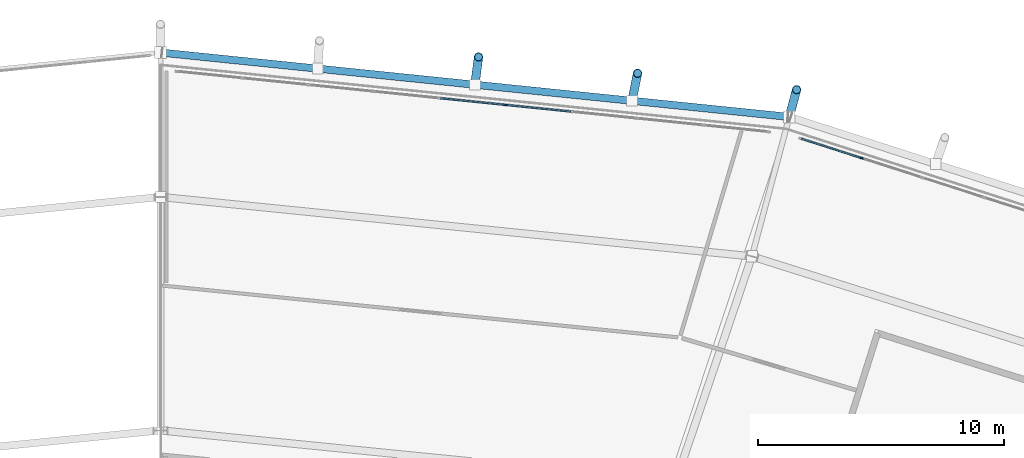
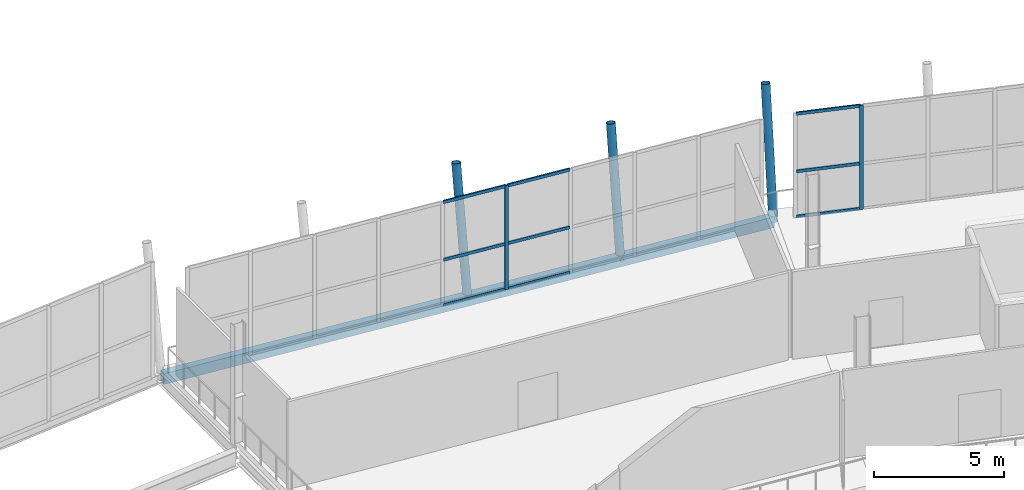
# One storey, part 49 of 99: 14 members, 1 beam, 2 elements without a shape of their own.
"""IFC4 building model written with IfcOpenShell, lengths in metres."""

from ifc_helpers import new_model, si_unit, direction, frame, origin, origin_2d, place, context, subcontext, project, spatial, rectangle, hollow_rectangle, hollow_circle, extrude, material, material_profile, profile_set, type_object, element, aggregate, save


model = new_model("IFC4")

# Units and contexts
model_context = context("Model", 3, precision=1e-05, world=origin(), true_north=direction((0.0, 1.0)))
body_context = subcontext(model_context, "Body", "Model", "MODEL_VIEW")
ifc_project = project(units=[si_unit("LENGTHUNIT", "METRE"), si_unit("AREAUNIT", "SQUARE_METRE"), si_unit("VOLUMEUNIT", "CUBIC_METRE"), si_unit("PLANEANGLEUNIT", "RADIAN"), si_unit("MASSUNIT", "GRAM", prefix="KILO")], contexts=[model_context])

# Site, building, storey
site_placement = place(None, origin())
site = spatial("IfcSite", under=ifc_project, at=site_placement, CompositionType="ELEMENT")
building_placement = place(site_placement, origin())
building = spatial("IfcBuilding", under=site, at=building_placement, Name="Zlatoyarsky Gate Stadium", CompositionType="ELEMENT")
storey_placement = place(building_placement, frame((0.0, 0.0, 26.199951171875)))
storey = spatial("IfcBuildingStorey", under=building, at=storey_placement, Name="L05", CompositionType="ELEMENT", Elevation=26.199951171875)

# Curtain wall, member
ifc_material_1 = material(Name="Thermally broken anodised aluminium curtain wall", Category="aluminium")
curtain_wall_type = type_object("IfcCurtainWallType", Name="UNITISED SKYBOX RING GLAZING L05", PredefinedType="USERDEFINED", material=ifc_material_1)
curtain_wall_1_placement = place(storey_placement, origin())
curtain_wall_1 = element("IfcCurtainWall", 1, at=curtain_wall_1_placement, inside=storey, type_object=curtain_wall_type, Name="Curtain wall CW-L05-04", ObjectType="UNITISED GLAZING", PredefinedType="USERDEFINED")
ifc_material_2 = material(Name="Anodised aluminium 6063-T6", Category="aluminium")
ifc_material_profile_1 = material_profile(ifc_material_2, rectangle(XDim=0.06494140625, YDim=0.159912109375, at=origin_2d()), Name="ALU 65X160")
ifc_profile_set_1 = profile_set([ifc_material_profile_1], Name="Anodised aluminium 6063-T6")
member_type_1 = type_object("IfcMemberType", Name="ALUMINIUM MULLION 65X160", PredefinedType="MULLION", material=ifc_profile_set_1)
member_1_placement = place(storey_placement, frame((139.522705078125, 152.58203125, 0.0), z_axis=(0.0, 0.0, 1.0), x_axis=(-0.305978007283, -0.952038580657, 0.0)))
member_1 = element("IfcMember", 2, at=member_1_placement, type_object=member_type_1, Name="CW-UG5 mullion 9", PredefinedType="MULLION", context=body_context, shape_type="SweptSolid", body=[
    extrude(rectangle(XDim=0.06494140625, YDim=0.159912109375, at=origin_2d()), origin(), (0.0, 0.0, 1.0), 4.880126953125),
])

curtain_wall_2_placement = place(storey_placement, origin())
curtain_wall_2 = element("IfcCurtainWall", 3, at=curtain_wall_2_placement, inside=storey, type_object=curtain_wall_type, Name="Curtain wall CW-L05-05", ObjectType="UNITISED GLAZING", PredefinedType="USERDEFINED")
member_2_placement = place(storey_placement, frame((125.045166015625, 154.743408203125, 0.0), z_axis=(0.0, 0.0, 1.0), x_axis=(-0.101618248063, -0.994823467586, 0.0)))
member_2 = element("IfcMember", 4, at=member_2_placement, type_object=member_type_1, Name="CW-UG5 mullion 5", PredefinedType="MULLION", context=body_context, shape_type="SweptSolid", body=[
    extrude(rectangle(XDim=0.06494140625, YDim=0.159912109375, at=origin_2d()), origin(), (0.0, 0.0, 1.0), 4.880126953125),
])

# Member
ifc_material_profile_2 = material_profile(ifc_material_2, rectangle(XDim=0.06494140625, YDim=0.139892578125, at=origin_2d()), Name="ALU 65X140")
ifc_profile_set_2 = profile_set([ifc_material_profile_2], Name="Anodised aluminium 6063-T6")
member_type_2 = type_object("IfcMemberType", Name="ALUMINIUM TRANSOM 65X140", PredefinedType="USERDEFINED", material=ifc_profile_set_2)
member_3_placement = place(storey_placement, frame((139.49169921875, 152.592041015625, 0.032470703125), z_axis=(-0.952045685445, 0.305955900133, 0.0), x_axis=(-0.305955900133, -0.952045685445, 0.0)))
member_3 = element("IfcMember", 5, at=member_3_placement, type_object=member_type_2, Name="CW-UG5 transom 9.1", ObjectType="TRANSOM", PredefinedType="USERDEFINED", context=body_context, shape_type="SweptSolid", body=[
    extrude(rectangle(XDim=0.06494140625, YDim=0.139892578125, at=origin_2d()), origin(), (0.0, 0.0, 1.0), 2.521484375),
])

member_4_placement = place(storey_placement, frame((139.49169921875, 152.592041015625, 2.150146484375), z_axis=(-0.952045685445, 0.305955900133, 0.0), x_axis=(-0.305955900133, -0.952045685445, 0.0)))
member_4 = element("IfcMember", 6, at=member_4_placement, type_object=member_type_2, Name="CW-UG5 transom 9.2", ObjectType="TRANSOM", PredefinedType="USERDEFINED", context=body_context, shape_type="SweptSolid", body=[
    extrude(rectangle(XDim=0.06494140625, YDim=0.139892578125, at=origin_2d()), origin(), (0.0, 0.0, 1.0), 2.521484375),
])

member_5_placement = place(storey_placement, frame((139.49169921875, 152.592041015625, 4.84765625), z_axis=(-0.952045685445, 0.305955900133, 0.0), x_axis=(-0.305955900133, -0.952045685445, 0.0)))
member_5 = element("IfcMember", 7, at=member_5_placement, type_object=member_type_2, Name="CW-UG5 transom 9.3", ObjectType="TRANSOM", PredefinedType="USERDEFINED", context=body_context, shape_type="SweptSolid", body=[
    extrude(rectangle(XDim=0.06494140625, YDim=0.139892578125, at=origin_2d()), origin(), (0.0, 0.0, 1.0), 2.521484375),
])

aggregate(curtain_wall_1, [member_1, member_3, member_4, member_5])

member_6_placement = place(storey_placement, frame((127.6923828125, 154.472900390625, 0.032470703125), z_axis=(-0.994824375324, 0.101609361087, 0.0), x_axis=(-0.101609361087, -0.994824375324, 0.0)))
member_6 = element("IfcMember", 8, at=member_6_placement, type_object=member_type_2, Name="CW-UG5 transom 4.1", ObjectType="TRANSOM", PredefinedType="USERDEFINED", context=body_context, shape_type="SweptSolid", body=[
    extrude(rectangle(XDim=0.06494140625, YDim=0.139892578125, at=origin_2d()), origin(), (0.0, 0.0, 1.0), 2.628662109375),
])

member_7_placement = place(storey_placement, frame((127.6923828125, 154.472900390625, 2.150146484375), z_axis=(-0.994824375324, 0.101609361087, 0.0), x_axis=(-0.101609361087, -0.994824375324, 0.0)))
member_7 = element("IfcMember", 9, at=member_7_placement, type_object=member_type_2, Name="CW-UG5 transom 4.2", ObjectType="TRANSOM", PredefinedType="USERDEFINED", context=body_context, shape_type="SweptSolid", body=[
    extrude(rectangle(XDim=0.06494140625, YDim=0.139892578125, at=origin_2d()), origin(), (0.0, 0.0, 1.0), 2.628662109375),
])

member_8_placement = place(storey_placement, frame((127.6923828125, 154.472900390625, 4.84765625), z_axis=(-0.994824375324, 0.101609361087, 0.0), x_axis=(-0.101609361087, -0.994824375324, 0.0)))
member_8 = element("IfcMember", 10, at=member_8_placement, type_object=member_type_2, Name="CW-UG5 transom 4.3", ObjectType="TRANSOM", PredefinedType="USERDEFINED", context=body_context, shape_type="SweptSolid", body=[
    extrude(rectangle(XDim=0.06494140625, YDim=0.139892578125, at=origin_2d()), origin(), (0.0, 0.0, 1.0), 2.628662109375),
])

member_9_placement = place(storey_placement, frame((125.0126953125, 154.74658203125, 0.032470703125), z_axis=(-0.994814982659, 0.10170127962, 0.0), x_axis=(-0.10170127962, -0.994814982659, 0.0)))
member_9 = element("IfcMember", 11, at=member_9_placement, type_object=member_type_2, Name="CW-UG5 transom 5.1", ObjectType="TRANSOM", PredefinedType="USERDEFINED", context=body_context, shape_type="SweptSolid", body=[
    extrude(rectangle(XDim=0.06494140625, YDim=0.139892578125, at=origin_2d()), origin(), (0.0, 0.0, 1.0), 2.628662109375),
])

member_10_placement = place(storey_placement, frame((125.0126953125, 154.74658203125, 2.150146484375), z_axis=(-0.994814982659, 0.10170127962, 0.0), x_axis=(-0.10170127962, -0.994814982659, 0.0)))
member_10 = element("IfcMember", 12, at=member_10_placement, type_object=member_type_2, Name="CW-UG5 transom 5.2", ObjectType="TRANSOM", PredefinedType="USERDEFINED", context=body_context, shape_type="SweptSolid", body=[
    extrude(rectangle(XDim=0.06494140625, YDim=0.139892578125, at=origin_2d()), origin(), (0.0, 0.0, 1.0), 2.628662109375),
])

member_11_placement = place(storey_placement, frame((125.0126953125, 154.74658203125, 4.84765625), z_axis=(-0.994814982659, 0.10170127962, 0.0), x_axis=(-0.10170127962, -0.994814982659, 0.0)))
member_11 = element("IfcMember", 13, at=member_11_placement, type_object=member_type_2, Name="CW-UG5 transom 5.3", ObjectType="TRANSOM", PredefinedType="USERDEFINED", context=body_context, shape_type="SweptSolid", body=[
    extrude(rectangle(XDim=0.06494140625, YDim=0.139892578125, at=origin_2d()), origin(), (0.0, 0.0, 1.0), 2.628662109375),
])

aggregate(curtain_wall_2, [member_2, member_6, member_7, member_8, member_9, member_10, member_11])

# Members
ifc_material_3 = material(Name="Steel S355", Category="steel")
ifc_material_profile_3 = material_profile(ifc_material_3, hollow_circle(Radius=0.177734375, WallThickness=0.02001953125, at=origin_2d()), Name="CHS 355.6X20")
ifc_profile_set_3 = profile_set([ifc_material_profile_3], Name="Steel S355")
member_type_3 = type_object("IfcMemberType", Name="STEEL LEANING RIB RING STRUT CHS 355.6X20", PredefinedType="STRUT", material=ifc_profile_set_3)
member_12_placement = place(storey_placement, frame((136.591552734375, 154.258544921875, -0.56005859375), z_axis=(0.051093460038, 0.190625969034, 0.980332187716), x_axis=(-0.965906333777, 0.258891781195, 0.0)))
element("IfcMember", 14, at=member_12_placement, inside=storey, type_object=member_type_3, Name="Upper leaning rib ring strut 05", PredefinedType="STRUT", context=body_context, shape_type="SweptSolid", body=[
    extrude(hollow_circle(Radius=0.177734375, WallThickness=0.02001953125, at=origin_2d()), origin(), (0.0, 0.0, 1.0), 5.82470703125),
])
member_13_placement = place(storey_placement, frame((130.193603515625, 154.913330078125, -0.510009765625), z_axis=(0.038644527624, 0.19402597075, 0.980234932636), x_axis=(-0.980736540858, 0.195335192492, 0.0)))
element("IfcMember", 15, at=member_13_placement, inside=storey, type_object=member_type_3, Name="Outward-leaning bowl louvre fin rib L05 05-1", PredefinedType="STRUT", context=body_context, shape_type="SweptSolid", body=[
    extrude(hollow_circle(Radius=0.177734375, WallThickness=0.02001953125, at=origin_2d()), origin(), (0.0, 0.0, 1.0), 5.774169921875),
])
member_14_placement = place(storey_placement, frame((123.795654296875, 155.568359375, -0.510009765625), z_axis=(0.025793599509, 0.195693079554, 0.980325919702), x_axis=(-0.991425104906, 0.130676169834, 0.0)))
element("IfcMember", 16, at=member_14_placement, inside=storey, type_object=member_type_3, Name="Outward-leaning bowl louvre fin rib L05 05-2", PredefinedType="STRUT", context=body_context, shape_type="SweptSolid", body=[
    extrude(hollow_circle(Radius=0.177734375, WallThickness=0.02001953125, at=origin_2d()), origin(), (0.0, 0.0, 1.0), 5.773681640625),
])

# Beam
ifc_material_profile_4 = material_profile(ifc_material_3, hollow_rectangle(XDim=0.300048828125, YDim=0.5, WallThickness=0.02001953125, at=origin_2d()), Name="RHS 500X300X20")
ifc_profile_set_4 = profile_set([ifc_material_profile_4], Name="Steel S355")
beam_type = type_object("IfcBeamType", Name="STEEL LOUVRE CARRIER SPANDREL RHS 500X300X20", PredefinedType="SPANDREL", material=ifc_profile_set_4)
beam_placement = place(storey_placement, frame((136.571533203125, 154.260498046875, -0.510009765625), z_axis=(-0.994800962536, 0.10183832745, 0.0), x_axis=(-0.10183832745, -0.994800962536, 0.0)))
element("IfcBeam", 17, at=beam_placement, inside=storey, type_object=beam_type, Name="Beam SP-RHS500 BM-L05-SPD-05", PredefinedType="SPANDREL", context=body_context, shape_type="SweptSolid", body=[
    extrude(hollow_rectangle(XDim=0.300048828125, YDim=0.5, WallThickness=0.02001953125, at=origin_2d()), origin(), (0.0, 0.0, 1.0), 25.68505859375),
])

save(model, "model.ifc")
